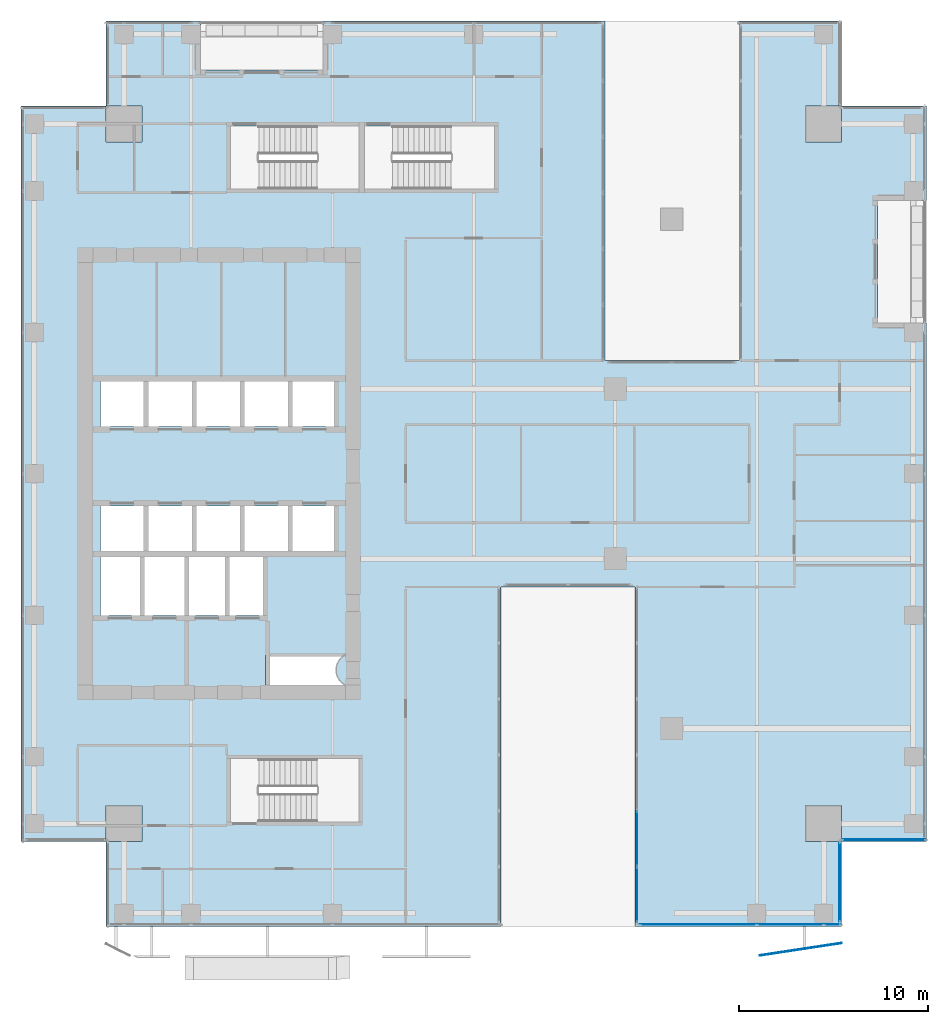
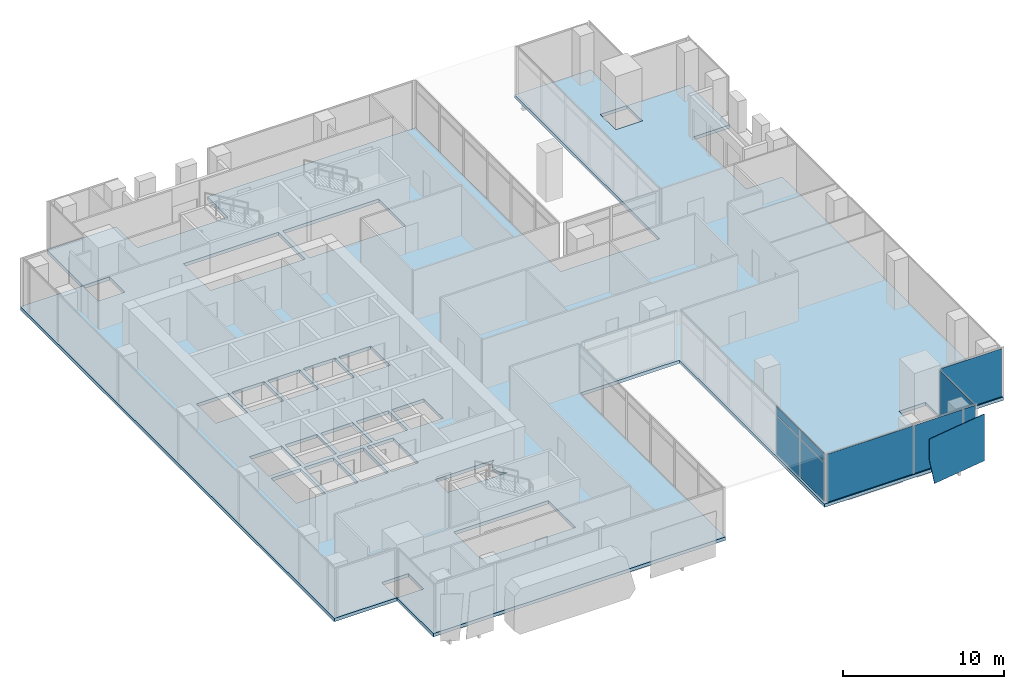
# One storey, part 30 of 40: 10 plates, 1 slab, 4 elements without a shape of their own.
"""IFC4 building model written with IfcOpenShell, lengths in metres."""

from ifc_helpers import new_model, si_unit, direction, frame, origin, origin_2d, place, context, subcontext, project, spatial, polyline, rectangle, outline, extrude, source, transform, mapped, material, layer, layer_set, type_object, element, aggregate, save


model = new_model("IFC4")

# Units and contexts
model_context = context("Model", 3, precision=1e-05, world=origin(), true_north=direction((0.0, 1.0)))
body_context = subcontext(model_context, "Body", "Model", "MODEL_VIEW")
ifc_project = project(units=[si_unit("LENGTHUNIT", "METRE"), si_unit("AREAUNIT", "SQUARE_METRE"), si_unit("VOLUMEUNIT", "CUBIC_METRE"), si_unit("PLANEANGLEUNIT", "RADIAN"), si_unit("MASSUNIT", "GRAM", prefix="KILO")], contexts=[model_context])

# Site, building, storey
site_placement = place(None, origin())
site = spatial("IfcSite", under=ifc_project, at=site_placement, CompositionType="ELEMENT")
building_placement = place(site_placement, origin())
building = spatial("IfcBuilding", under=site, at=building_placement, Name="Khomas Fold Tower", CompositionType="ELEMENT")
storey_placement = place(building_placement, frame((0.0, 0.0, 184.699951171875)))
storey = spatial("IfcBuildingStorey", under=building, at=storey_placement, Name="L40", CompositionType="ELEMENT", Elevation=184.699951171875)

# Plate
ifc_material_1 = material(Name="Clear laminated glass", Category="glass")
ifc_layer_1 = layer(ifc_material_1, 0.0400390625)
ifc_layer_set_1 = layer_set([ifc_layer_1], Name="Clear laminated glass")
plate_type_1 = type_object("IfcPlateType", Name="SK-Clear laminated glass leaf", PredefinedType="SHEET", material=ifc_layer_set_1)
plate_1_placement = place(storey_placement, frame((42.169921875, 1.44189453125, 2.0166015625), z_axis=(0.150289898377, -0.988641970613, 1.9719714e-05), x_axis=(-2.963674e-06, 1.9495737e-05, 0.999999999806)))
element("IfcPlate", 1, at=plate_1_placement, inside=storey, type_object=plate_type_1, Name="OUTER SKIN glass L40 SG106-4", PredefinedType="SHEET", context=body_context, shape_type="SweptSolid", body=[
    extrude(outline(polyline([(0.0, 0.0), (1.5334472653268463, -6.494401784306959e-22), (1.5334472645426562, -4.3798182520262054), (-2.016601562892095, -4.3798182520262054), (-2.0166015648688993, -0.42003290676952737), (0.0, 0.0)])), origin(), (0.0, 0.0, -1.0), 0.0400390625),
])

# Slab
ifc_material_2 = material(Name="Concrete C40/50", Category="concrete")
ifc_layer_2 = layer(ifc_material_2, 0.25)
ifc_layer_set_2 = layer_set([ifc_layer_2], Name="Concrete C40/50")
slab_type = type_object("IfcSlabType", Name="RC floor slab 250", PredefinedType="FLOOR", material=ifc_layer_set_2)
shared_shape_1 = source(origin(), body_context, "Body", "SweptSolid", [
    extrude(outline(polyline([(3.0, 7.5), (7.4951171875, 7.5), (7.4951171875, 9.405029296875), (9.405029296875, 9.405029296875), (9.405029296875, 7.4951171875), (7.5, 7.4951171875), (7.5, 3.0), (28.449951171875, 3.0), (28.449951171875, 21.0), (35.550048828125, 21.0), (35.550048828125, 3.0), (46.5, 3.0), (46.5, 7.4951171875), (44.594970703125, 7.4951171875), (44.594970703125, 9.405029296875), (46.5048828125, 9.405029296875), (46.5048828125, 7.5), (51.0, 7.5), (51.0, 35.0), (48.39990234375, 35.0), (48.39990234375, 41.5), (51.0, 41.5), (51.0, 46.5), (46.5048828125, 46.5), (46.5048828125, 44.594970703125), (44.594970703125, 44.594970703125), (44.594970703125, 46.5048828125), (46.5, 46.5048828125), (46.5, 51.0), (41.050048828125, 51.0), (41.050048828125, 33.0), (33.949951171875, 33.0), (33.949951171875, 51.0), (19.0, 51.0), (19.0, 48.39990234375), (12.5, 48.39990234375), (12.5, 51.0), (7.5, 51.0), (7.5, 46.5048828125), (9.405029296875, 46.5048828125), (9.405029296875, 44.594970703125), (7.4951171875, 44.594970703125), (7.4951171875, 46.5), (3.0, 46.5), (3.0, 7.5)]), holes=[polyline([(7.199951171875, 19.5), (7.199951171875, 22.60009765625), (9.300048828125, 22.60009765625), (9.300048828125, 19.5), (7.199951171875, 19.5)]), polyline([(7.199951171875, 22.89990234375), (7.199951171875, 25.300048828125), (9.5, 25.300048828125), (9.5, 22.89990234375), (7.199951171875, 22.89990234375)]), polyline([(7.199951171875, 29.5), (7.199951171875, 31.89990234375), (9.5, 31.89990234375), (9.5, 29.5), (7.199951171875, 29.5)]), polyline([(9.550048828125, 19.5), (9.550048828125, 22.60009765625), (11.64990234375, 22.60009765625), (11.64990234375, 19.5), (9.550048828125, 19.5)]), polyline([(9.75, 22.89990234375), (9.75, 25.300048828125), (12.050048828125, 25.300048828125), (12.050048828125, 22.89990234375), (9.75, 22.89990234375)]), polyline([(9.75, 29.5), (9.75, 31.89990234375), (12.050048828125, 31.89990234375), (12.050048828125, 29.5), (9.75, 29.5)]), polyline([(11.89990234375, 19.5), (11.89990234375, 22.60009765625), (13.800048828125, 22.60009765625), (13.800048828125, 19.5), (11.89990234375, 19.5)]), polyline([(12.300048828125, 22.89990234375), (12.300048828125, 25.300048828125), (14.60009765625, 25.300048828125), (14.60009765625, 22.89990234375), (12.300048828125, 22.89990234375)]), polyline([(12.300048828125, 29.5), (12.300048828125, 31.89990234375), (14.60009765625, 31.89990234375), (14.60009765625, 29.5), (12.300048828125, 29.5)]), polyline([(14.050048828125, 19.5), (14.050048828125, 22.60009765625), (15.949951171875, 22.60009765625), (15.949951171875, 19.5), (14.050048828125, 19.5)]), polyline([(14.10009765625, 8.550048828125), (14.10009765625, 11.89990234375), (20.89990234375, 11.89990234375), (20.89990234375, 8.550048828125), (14.10009765625, 8.550048828125)]), polyline([(14.10009765625, 42.10009765625), (14.10009765625, 45.449951171875), (20.89990234375, 45.449951171875), (20.89990234375, 42.10009765625), (14.10009765625, 42.10009765625)]), polyline([(14.85009765625, 22.89990234375), (14.85009765625, 25.300048828125), (17.14990234375, 25.300048828125), (17.14990234375, 22.89990234375), (14.85009765625, 22.89990234375)]), polyline([(14.85009765625, 29.5), (14.85009765625, 31.89990234375), (17.14990234375, 31.89990234375), (17.14990234375, 29.5), (14.85009765625, 29.5)]), polyline([(15.949951171875, 15.800048828125), (15.949951171875, 17.39990234375), (20.18896484375, 17.39990234375), (20.17578125, 17.393798828125), (20.10009765625, 17.348388671875), (20.029052734375, 17.295654296875), (19.963623046875, 17.236328125), (19.904296875, 17.1708984375), (19.851806640625, 17.10009765625), (19.806396484375, 17.0244140625), (19.7685546875, 16.9443359375), (19.73876953125, 16.861328125), (19.71728515625, 16.775634765625), (19.704345703125, 16.688232421875), (19.699951171875, 16.60009765625), (19.704345703125, 16.51171875), (19.71728515625, 16.42431640625), (19.73876953125, 16.338623046875), (19.7685546875, 16.255615234375), (19.806396484375, 16.17578125), (19.851806640625, 16.10009765625), (19.904296875, 16.029052734375), (19.963623046875, 15.963623046875), (20.029052734375, 15.904296875), (20.10009765625, 15.851806640625), (20.17578125, 15.806396484375), (20.18896484375, 15.800048828125), (15.949951171875, 15.800048828125)]), polyline([(17.39990234375, 22.89990234375), (17.39990234375, 25.300048828125), (19.699951171875, 25.300048828125), (19.699951171875, 22.89990234375), (17.39990234375, 22.89990234375)]), polyline([(17.39990234375, 29.5), (17.39990234375, 31.89990234375), (19.699951171875, 31.89990234375), (19.699951171875, 29.5), (17.39990234375, 29.5)]), polyline([(21.199951171875, 42.10009765625), (21.199951171875, 45.449951171875), (28.10009765625, 45.449951171875), (28.10009765625, 42.10009765625), (21.199951171875, 42.10009765625)])]), origin(), (0.0, 0.0, 1.0), 0.25),
])
slab_placement = place(storey_placement, frame((0.0, 0.0, -0.25)))
element("IfcSlab", 2, at=slab_placement, inside=storey, type_object=slab_type, Name="S-L40", PredefinedType="FLOOR", context=body_context, shape_type="MappedRepresentation", body=[
    mapped(shared_shape_1, transform((0.0, 0.0, 0.0))),
])

# Curtain wall, plate
ifc_material_3 = material(Name="Aluminium framed double glazing", Category="aluminium")
curtain_wall_type_1 = type_object("IfcCurtainWallType", Name="SK-Unitised clear-glass wall, office floors CW2", PredefinedType="NOTDEFINED", material=ifc_material_3)
curtain_wall_1_placement = place(storey_placement, origin())
curtain_wall_1 = element("IfcCurtainWall", 3, at=curtain_wall_1_placement, inside=storey, type_object=curtain_wall_type_1, Name="CW2 corner return L40 07", PredefinedType="NOTDEFINED")
ifc_material_4 = material(Name="Clear double glazed unit")
ifc_layer_3 = layer(ifc_material_4, 0.030029296875)
ifc_layer_set_3 = layer_set([ifc_layer_3], Name="Clear double glazed unit")
plate_type_2 = type_object("IfcPlateType", Name="SK-Unitised clear-glass wall, office floors glass panel CW2-P", PredefinedType="CURTAIN_PANEL", material=ifc_layer_set_3)
shared_shape_2 = source(origin(), body_context, "Body", "SweptSolid", [
    extrude(rectangle(XDim=4.3798828125, YDim=0.030029296875, at=origin_2d()), origin(), (0.0, 0.0, 1.0), 3.639892578125),
])
plate_2_placement = place(storey_placement, frame((48.75, 7.60009765625, 0.0), z_axis=(0.0, 0.0, 1.0), x_axis=(1.0, 0.0, 0.0)))
plate_2 = element("IfcPlate", 4, at=plate_2_placement, type_object=plate_type_2, Name="CW2 glass panel 1", PredefinedType="CURTAIN_PANEL", context=body_context, shape_type="MappedRepresentation", body=[
    mapped(shared_shape_2, transform((0.0, 0.0, 0.0))),
])
aggregate(curtain_wall_1, [plate_2])

curtain_wall_2_placement = place(storey_placement, origin())
curtain_wall_2 = element("IfcCurtainWall", 5, at=curtain_wall_2_placement, inside=storey, type_object=curtain_wall_type_1, Name="CW2 run L40 05-0", PredefinedType="NOTDEFINED")
shared_shape_3 = source(origin(), body_context, "Body", "SweptSolid", [
    extrude(rectangle(XDim=3.489990234375, YDim=0.030029296875, at=origin_2d()), origin(), (0.0, 0.0, 1.0), 3.639892578125),
])
plate_3_placement = place(storey_placement, frame((43.77490234375, 3.10009765625, 0.0), z_axis=(0.0, 0.0, 1.0), x_axis=(1.0, 0.0, 0.0)))
plate_3 = element("IfcPlate", 6, at=plate_3_placement, type_object=plate_type_2, Name="CW2 glass panel 2", PredefinedType="CURTAIN_PANEL", context=body_context, shape_type="MappedRepresentation", body=[
    mapped(shared_shape_3, transform((0.0, 0.0, 0.0))),
])

curtain_wall_3_placement = place(storey_placement, origin())
curtain_wall_3 = element("IfcCurtainWall", 7, at=curtain_wall_3_placement, inside=storey, type_object=curtain_wall_type_1, Name="CW2 corner return L40 06", PredefinedType="NOTDEFINED")
shared_shape_4 = source(origin(), body_context, "Body", "SweptSolid", [
    extrude(rectangle(XDim=4.179931640625, YDim=0.030029296875, at=origin_2d()), origin(), (0.0, 0.0, 1.0), 3.639892578125),
])
plate_4_placement = place(storey_placement, frame((46.39990234375, 5.35009765625, 0.0), z_axis=(0.0, 0.0, 1.0), x_axis=(0.0, 1.0, 0.0)))
plate_4 = element("IfcPlate", 8, at=plate_4_placement, type_object=plate_type_2, Name="CW2 glass panel 1", PredefinedType="CURTAIN_PANEL", context=body_context, shape_type="MappedRepresentation", body=[
    mapped(shared_shape_4, transform((0.0, 0.0, 0.0))),
])
aggregate(curtain_wall_3, [plate_4])

# Plate
shared_shape_5 = source(origin(), body_context, "Body", "SweptSolid", [
    extrude(rectangle(XDim=0.860107421875, YDim=0.030029296875, at=origin_2d()), origin(), (0.0, 0.0, 1.0), 3.639892578125),
])
plate_5_placement = place(storey_placement, frame((46.010009765625, 3.10009765625, 0.0), z_axis=(0.0, 0.0, 1.0), x_axis=(1.0, 0.0, 0.0)))
plate_5 = element("IfcPlate", 9, at=plate_5_placement, type_object=plate_type_2, Name="CW2 glass panel 3", PredefinedType="CURTAIN_PANEL", context=body_context, shape_type="MappedRepresentation", body=[
    mapped(shared_shape_5, transform((0.0, 0.0, 0.0))),
])

shared_shape_6 = source(origin(), body_context, "Body", "SweptSolid", [
    extrude(rectangle(XDim=6.159912109375, YDim=0.030029296875, at=origin_2d()), origin(), (0.0, 0.0, 1.0), 3.639892578125),
])
plate_6_placement = place(storey_placement, frame((38.889892578125, 3.10009765625, 0.0), z_axis=(0.0, 0.0, 1.0), x_axis=(1.0, 0.0, 0.0)))
plate_6 = element("IfcPlate", 10, at=plate_6_placement, type_object=plate_type_2, Name="CW2 glass panel 1", PredefinedType="CURTAIN_PANEL", context=body_context, shape_type="MappedRepresentation", body=[
    mapped(shared_shape_6, transform((0.0, 0.0, 0.0))),
])

aggregate(curtain_wall_2, [plate_6, plate_3, plate_5])

# Curtain wall, plates
ifc_material_5 = material(Name="Aluminium framed double glazing", Category="aluminium")
curtain_wall_type_2 = type_object("IfcCurtainWallType", Name="Notch glazing GN-CW", PredefinedType="NOTDEFINED", material=ifc_material_5)
curtain_wall_4_placement = place(storey_placement, origin())
curtain_wall_4 = element("IfcCurtainWall", 11, at=curtain_wall_4_placement, inside=storey, type_object=curtain_wall_type_2, Name="Notch glazing run", PredefinedType="NOTDEFINED")
ifc_material_6 = material(Name="Double glazed unit")
ifc_layer_4 = layer(ifc_material_6, 0.031982421875)
ifc_layer_set_4 = layer_set([ifc_layer_4], Name="Double glazed unit")
plate_type_3 = type_object("IfcPlateType", Name="Notch glazing panel GN-CW-P", PredefinedType="CURTAIN_PANEL", material=ifc_layer_set_4)
shared_shape_7 = source(origin(), body_context, "Body", "SweptSolid", [
    extrude(rectangle(XDim=2.876708984375, YDim=0.031982421875, at=origin_2d()), origin(), (0.0, 0.0, 1.0), 2.909912109375),
])
plate_7_placement = place(storey_placement, frame((35.64990234375, 4.6982421875, 0.06005859375), z_axis=(0.0, 0.0, 1.0), x_axis=(0.0, -1.0, 0.0)))
plate_7 = element("IfcPlate", 12, at=plate_7_placement, type_object=plate_type_3, Name="GN-CW panel 6.1", PredefinedType="CURTAIN_PANEL", context=body_context, shape_type="MappedRepresentation", body=[
    mapped(shared_shape_7, transform((0.0, 0.0, 0.0))),
])
shared_shape_8 = source(origin(), body_context, "Body", "SweptSolid", [
    extrude(rectangle(XDim=2.90673828125, YDim=0.031982421875, at=origin_2d()), origin(), (0.0, 0.0, 1.0), 2.909912109375),
])
plate_8_placement = place(storey_placement, frame((35.64990234375, 7.64990234375, 0.06005859375), z_axis=(0.0, 0.0, 1.0), x_axis=(0.0, -1.0, 0.0)))
plate_8 = element("IfcPlate", 13, at=plate_8_placement, type_object=plate_type_3, Name="GN-CW panel 5.1", PredefinedType="CURTAIN_PANEL", context=body_context, shape_type="MappedRepresentation", body=[
    mapped(shared_shape_8, transform((0.0, 0.0, 0.0))),
])
shared_shape_9 = source(origin(), body_context, "Body", "SweptSolid", [
    extrude(rectangle(XDim=2.876708984375, YDim=0.031982421875, at=origin_2d()), origin(), (0.0, 0.0, 1.0), 0.659912109375),
])
plate_9_placement = place(storey_placement, frame((35.64990234375, 4.6982421875, 3.0302734375), z_axis=(0.0, 0.0, 1.0), x_axis=(0.0, -1.0, 0.0)))
plate_9 = element("IfcPlate", 14, at=plate_9_placement, type_object=plate_type_3, Name="GN-CW panel 6.2", PredefinedType="CURTAIN_PANEL", context=body_context, shape_type="MappedRepresentation", body=[
    mapped(shared_shape_9, transform((0.0, 0.0, 0.0))),
])
shared_shape_10 = source(origin(), body_context, "Body", "SweptSolid", [
    extrude(rectangle(XDim=2.90673828125, YDim=0.031982421875, at=origin_2d()), origin(), (0.0, 0.0, 1.0), 0.659912109375),
])
plate_10_placement = place(storey_placement, frame((35.64990234375, 7.64990234375, 3.0302734375), z_axis=(0.0, 0.0, 1.0), x_axis=(0.0, -1.0, 0.0)))
plate_10 = element("IfcPlate", 15, at=plate_10_placement, type_object=plate_type_3, Name="GN-CW panel 5.2", PredefinedType="CURTAIN_PANEL", context=body_context, shape_type="MappedRepresentation", body=[
    mapped(shared_shape_10, transform((0.0, 0.0, 0.0))),
])
aggregate(curtain_wall_4, [plate_8, plate_10, plate_7, plate_9])

save(model, "model.ifc")
